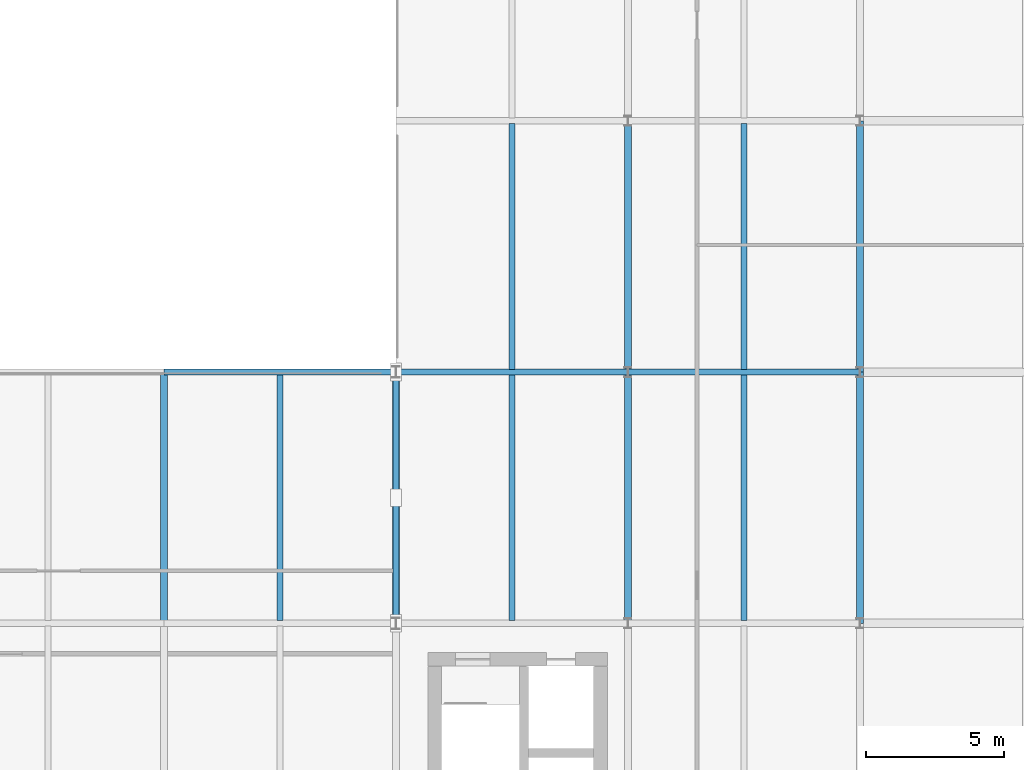
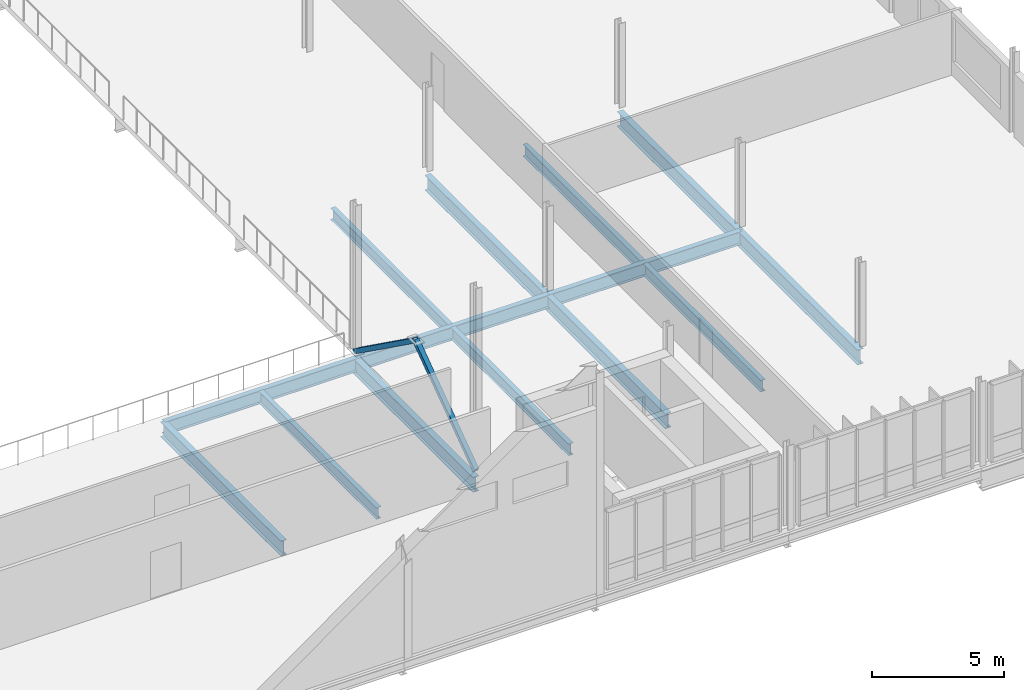
# One storey, part 34 of 61: 14 beams, 2 members.
"""IFC4 building model written with IfcOpenShell, lengths in metres."""

import ifcopenshell
import ifcopenshell.guid

model = None  # the IFC model being written
_history = None  # IfcOwnerHistory: only IFC2X3 demands one
_inside = {}  # id of a spatial element -> (the spatial element, [elements in it])
_under = {}  # id of a project, library or spatial element -> (it, [spatial elements below it])
_declared = {}  # id of a project -> (the project, [libraries it declares])
_typed = {}  # id of a type object -> (the type object, [elements of that type])
_made_of = {}  # id of a material, layer set ... -> (it, [elements and type objects made of it])


def new_model(schema):
    """Start an empty IFC model of exactly this schema.

    Asked for "IFC4X3", IfcOpenShell would pick the latest addendum, in which some entities
    have other attributes; the version numbers below select the first issue.
    IFC2X3 requires an IfcOwnerHistory on every rooted entity: one is made here for all.
    """
    global model, _history
    if schema == "IFC4X3":
        model = ifcopenshell.file(schema_version=(4, 3, 0, 0))
    else:
        model = ifcopenshell.file(schema=schema)
    _inside.clear()
    _under.clear()
    _declared.clear()
    _typed.clear()
    _made_of.clear()
    _history = None
    if model.schema == "IFC2X3":
        org = make("IfcOrganization", Name="unknown")
        user = make(
            "IfcPersonAndOrganization",
            ThePerson=make("IfcPerson", FamilyName="unknown"),
            TheOrganization=org,
        )
        app = make(
            "IfcApplication",
            ApplicationDeveloper=org,
            Version="unknown",
            ApplicationFullName="unknown",
            ApplicationIdentifier="unknown",
        )
        _history = make(
            "IfcOwnerHistory",
            OwningUser=user,
            OwningApplication=app,
            ChangeAction="ADDED",
            CreationDate=0,
        )
    return model


def make(cls, **values):
    """One entity of the class cls with the attributes given. An attribute that is None is left unset."""
    return model.create_entity(
        cls, **{name: value for name, value in values.items() if value is not None}
    )


def rooted(cls, **values):
    """An entity with a GlobalId (a new one), such as an element, a storey or a relation."""
    return make(cls, GlobalId=ifcopenshell.guid.new(), OwnerHistory=_history, **values)


def si_unit(unit_type, name, prefix=None):
    """IfcSIUnit, for example si_unit("LENGTHUNIT", "METRE", prefix="MILLI")."""
    return make("IfcSIUnit", UnitType=unit_type, Prefix=prefix, Name=name)


def derived_unit(unit_type, elements):
    """IfcDerivedUnit: a product of units, each with its exponent."""
    return make(
        "IfcDerivedUnit",
        Elements=[
            make("IfcDerivedUnitElement", Unit=unit, Exponent=power)
            for unit, power in elements
        ],
        UnitType=unit_type,
    )


def assignment(units):
    """IfcUnitAssignment: the units of a project."""
    return None if units is None else make("IfcUnitAssignment", Units=units)


def point(xyz):
    """IfcCartesianPoint."""
    return None if xyz is None else make("IfcCartesianPoint", Coordinates=xyz)


def direction(xyz):
    """IfcDirection."""
    return None if xyz is None else make("IfcDirection", DirectionRatios=xyz)


def frame(location, z_axis=None, x_axis=None):
    """IfcAxis2Placement3D, a coordinate frame: its origin and axes. An axis left out is left unset."""
    return make(
        "IfcAxis2Placement3D",
        Location=point(location),
        Axis=direction(z_axis),
        RefDirection=direction(x_axis),
    )


def frame_2d(location, x_axis=None):
    """IfcAxis2Placement2D, a coordinate frame in the plane: its origin and x axis."""
    return make(
        "IfcAxis2Placement2D", Location=point(location), RefDirection=direction(x_axis)
    )


def origin():
    """The frame at (0, 0, 0) with its axes left unset."""
    return frame((0.0, 0.0, 0.0))


def origin_2d():
    """The frame at (0, 0) in the plane with its x axis left unset."""
    return frame_2d((0.0, 0.0))


def place(relative_to, where):
    """IfcLocalPlacement: puts the frame where relative to a parent placement (None: the world)."""
    return make(
        "IfcLocalPlacement", PlacementRelTo=relative_to, RelativePlacement=where
    )


def context(
    kind, dimensions, precision=None, world=None, true_north=None, identifier=None
):
    """IfcGeometricRepresentationContext, for example the 3D "Model" context."""
    return make(
        "IfcGeometricRepresentationContext",
        ContextIdentifier=identifier,
        ContextType=kind,
        CoordinateSpaceDimension=dimensions,
        Precision=precision,
        WorldCoordinateSystem=world,
        TrueNorth=true_north,
    )


def subcontext(parent, identifier, kind, view, scale=None):
    """IfcGeometricRepresentationSubContext, for example "Body" below "Model"."""
    return make(
        "IfcGeometricRepresentationSubContext",
        ContextIdentifier=identifier,
        ContextType=kind,
        ParentContext=parent,
        TargetScale=scale,
        TargetView=view,
    )


def project(units=None, contexts=None):
    """IfcProject with its units and contexts."""
    return rooted(
        "IfcProject",
        Name="project",
        RepresentationContexts=contexts,
        UnitsInContext=assignment(units),
    )


def spatial(cls, under=None, at=None, **own):
    """A site, building, storey or space (cls), placed at a placement, below another one or the project."""
    s = rooted(cls, ObjectPlacement=at, **own)
    if under is not None:
        _under.setdefault(under.id(), (under, []))[1].append(s)
    return s


def profile(cls, at=None, kind="AREA", **sizes):
    """A parametric profile (cls). Its sizes go by their IFC names, for example OverallWidth=200.0."""
    return make(cls, ProfileType=kind, Position=at, **sizes)


def hollow_rectangle(**sizes):
    """IfcRectangleHollowProfileDef."""
    return profile("IfcRectangleHollowProfileDef", **sizes)


def i_section(**sizes):
    """IfcIShapeProfileDef."""
    return profile("IfcIShapeProfileDef", **sizes)


def extrude(swept, where, along, depth):
    """IfcExtrudedAreaSolid: the profile swept, set in the frame where, extruded along a direction by depth."""
    return make(
        "IfcExtrudedAreaSolid",
        SweptArea=swept,
        Position=where,
        ExtrudedDirection=direction(along),
        Depth=depth,
    )


def shape(context_of_items, identifier, shape_type, items):
    """IfcShapeRepresentation: the items that make up one representation, for example the "Body"."""
    return make(
        "IfcShapeRepresentation",
        ContextOfItems=context_of_items,
        RepresentationIdentifier=identifier,
        RepresentationType=shape_type,
        Items=items,
    )


def material(Name=None, Category=None):
    """IfcMaterial."""
    return make("IfcMaterial", Name=Name, Category=Category)


def material_profile(
    of_material, cross_section, Name=None, Category=None, Priority=None
):
    """IfcMaterialProfile: a cross section and its material."""
    return make(
        "IfcMaterialProfile",
        Name=Name,
        Material=of_material,
        Profile=cross_section,
        Priority=Priority,
        Category=Category,
    )


def profile_set(profiles, Name=None, composite=None):
    """IfcMaterialProfileSet."""
    return make(
        "IfcMaterialProfileSet",
        Name=Name,
        MaterialProfiles=profiles,
        CompositeProfile=composite,
    )


def made_of(thing, what):
    """Note that an element or type object is made of a material, layer set ...; save() writes the relation."""
    if what is not None:
        _made_of.setdefault(what.id(), (what, []))[1].append(thing)
    return thing


def type_object(cls, material=None, **own):
    """A type object (cls), such as IfcWallType, which elements share."""
    return made_of(rooted(cls, **own), material)


def element(
    cls,
    number,
    at=None,
    inside=None,
    cuts=None,
    type_object=None,
    material=None,
    context=None,
    identifier="Body",
    shape_type=None,
    held_by="IfcProductDefinitionShape",
    body=None,
    shapes=None,
    **own,
):
    """One element of the class cls, such as IfcWall. Its Tag is "e" and its number.

    at: its placement. inside: the storey or other place that contains it. cuts: it is an
    opening in that element (IfcRelVoidsElement). A single representation is given by context,
    identifier, shape_type and body (its items); several are given by shapes. held_by: the class
    of the entity that holds the representations. save() writes the other relations.
    """
    e = rooted(cls, Tag="e%d" % number, ObjectPlacement=at, **own)
    if body is not None:
        shapes = [shape(context, identifier, shape_type, body)]
    if shapes is not None:
        e.Representation = make(held_by, Representations=shapes)
    if inside is not None:
        _inside.setdefault(inside.id(), (inside, []))[1].append(e)
    if cuts is not None:
        rooted(
            "IfcRelVoidsElement", RelatingBuildingElement=cuts, RelatedOpeningElement=e
        )
    if type_object is not None:
        _typed.setdefault(type_object.id(), (type_object, []))[1].append(e)
    return made_of(e, material)


def aggregate(whole, parts):
    """IfcRelAggregates: a whole, such as a stair, and the parts it consists of."""
    return rooted("IfcRelAggregates", RelatingObject=whole, RelatedObjects=parts)


def save(model, path):
    """Write the relations noted so far, then the file.

    IfcRelAggregates (storeys below a building ...), IfcRelContainedInSpatialStructure (elements
    in a storey), IfcRelDefinesByType, IfcRelAssociatesMaterial and IfcRelDeclares: one each for
    every whole, place, type object, material and project.
    """
    for whole, parts in _under.values():
        aggregate(whole, parts)
    for where, things in _inside.values():
        rooted(
            "IfcRelContainedInSpatialStructure",
            RelatedElements=things,
            RelatingStructure=where,
        )
    for kind, things in _typed.values():
        rooted("IfcRelDefinesByType", RelatedObjects=things, RelatingType=kind)
    for what, things in _made_of.values():
        rooted("IfcRelAssociatesMaterial", RelatedObjects=things, RelatingMaterial=what)
    for by, libraries in _declared.values():
        rooted("IfcRelDeclares", RelatingContext=by, RelatedDefinitions=libraries)
    model.write(path)


model = new_model("IFC4")

# Units and contexts
model_context = context("Model", 3, precision=1e-05, world=origin(), true_north=direction((0.0, 1.0)))
body_context = subcontext(model_context, "Body", "Model", "MODEL_VIEW")
ifc_project = project(units=[si_unit("LENGTHUNIT", "METRE"), si_unit("AREAUNIT", "SQUARE_METRE"), si_unit("VOLUMEUNIT", "CUBIC_METRE"), si_unit("PLANEANGLEUNIT", "RADIAN"), si_unit("MASSUNIT", "GRAM", prefix="KILO"), derived_unit("THERMALTRANSMITTANCEUNIT", [(si_unit("MASSUNIT", "GRAM", prefix="KILO"), 1), (si_unit("TIMEUNIT", "SECOND"), -3), (si_unit("THERMODYNAMICTEMPERATUREUNIT", "KELVIN"), -1)])], contexts=[model_context])

# Site, building, storey
site_placement = place(None, origin())
site = spatial("IfcSite", under=ifc_project, at=site_placement, CompositionType="ELEMENT")
building_placement = place(site_placement, origin())
building = spatial("IfcBuilding", under=site, at=building_placement, Name="Makaiwela Harbour Ferry Terminal", CompositionType="ELEMENT")
storey_placement = place(building_placement, frame((0.0, 0.0, 13.800048828125)))
storey = spatial("IfcBuildingStorey", under=building, at=storey_placement, Name="L03", CompositionType="ELEMENT", Elevation=13.800048828125)

# Beams
ifc_material_1 = material(Name="Steel ASTM A992 Grade 50", Category="steel")
ifc_material_profile_1 = material_profile(ifc_material_1, i_section(OverallWidth=0.2099609375, OverallDepth=0.537109375, WebThickness=0.010986328125, FlangeThickness=0.017333984375, at=origin_2d()), Name="W21X68")
ifc_profile_set_1 = profile_set([ifc_material_profile_1], Name="Steel ASTM A992 Grade 50")
beam_type_1 = type_object("IfcBeamType", Name="STR-BM-W21X68", PredefinedType="BEAM", material=ifc_profile_set_1)
for number, where, z_axis, x_axis, name in (
    (1, (134.39990234375, 58.596435546875, -0.508544921875), (0.0, 1.0, 0.0), (-1.0, 0.0, 0.0), "Secondary floor beam 1649"),
    (2, (142.800048828125, 58.596435546875, -0.508544921875), (0.0, 1.0, 0.0), (-1.0, 0.0, 0.0), "Secondary floor beam 1650"),
    (3, (142.800048828125, 67.696533203125, -0.508544921875), (0.0, 1.0, 0.0), (-1.0, 0.0, 0.0), "Secondary floor beam 1651"),
    (4, (151.199951171875, 58.596435546875, -0.508544921875), (0.0, 1.0, 0.0), (-1.0, 0.0, 0.0), "Secondary floor beam 1655"),
    (5, (151.199951171875, 67.696533203125, -0.508544921875), (0.0, 1.0, 0.0), (-1.0, 0.0, 0.0), "Secondary floor beam 1656"),
):
    element("IfcBeam", number, at=place(storey_placement, frame(where, z_axis=z_axis, x_axis=x_axis)), inside=storey, type_object=beam_type_1, Name=name, PredefinedType="BEAM", context=body_context, shape_type="SweptSolid", body=[
        extrude(i_section(OverallWidth=0.2099609375, OverallDepth=0.537109375, WebThickness=0.010986328125, FlangeThickness=0.017333984375, at=origin_2d()), origin(), (0.0, 0.0, 1.0), 8.906982421875),
    ])

# Members
ifc_material_2 = material(Name="Steel ASTM A500 Grade C", Category="steel")
ifc_material_profile_2 = material_profile(ifc_material_2, hollow_rectangle(XDim=0.202880859375, YDim=0.202880859375, WallThickness=0.01171875, at=origin_2d()), Name="HSS8X8X1/2")
ifc_profile_set_2 = profile_set([ifc_material_profile_2], Name="Steel ASTM A500 Grade C")
member_type = type_object("IfcMemberType", Name="STR-BRC-HSS8", PredefinedType="BRACE", material=ifc_profile_set_2)
for number, where, z_axis, x_axis, name in (
    (6, (138.60009765625, 58.5, 0.050048828125), (0.0, 0.812600648456, 0.582820886833), (-1.0, 0.0, 0.0), "Lateral chevron brace 9A"),
    (7, (138.60009765625, 67.60009765625, 0.050048828125), (0.0, -0.812600648456, 0.582820886833), (1.0, 0.0, 0.0), "Lateral chevron brace 9B"),
):
    element("IfcMember", number, at=place(storey_placement, frame(where, z_axis=z_axis, x_axis=x_axis)), inside=storey, type_object=member_type, Name=name, PredefinedType="BRACE", context=body_context, shape_type="SweptSolid", body=[
        extrude(hollow_rectangle(XDim=0.202880859375, YDim=0.202880859375, WallThickness=0.01171875, at=origin_2d()), origin(), (0.0, 0.0, 1.0), 5.599365234375),
    ])

# Beams
ifc_material_profile_3 = material_profile(ifc_material_1, i_section(OverallWidth=0.22900390625, OverallDepth=0.612060546875, WebThickness=0.011962890625, FlangeThickness=0.01953125, at=origin_2d()), Name="W24X84")
ifc_profile_set_3 = profile_set([ifc_material_profile_3], Name="Steel ASTM A992 Grade 50")
beam_type_2 = type_object("IfcBeamType", Name="STR-GRD-W24X84", PredefinedType="USERDEFINED", material=ifc_profile_set_3)
beam_1_placement = place(storey_placement, frame((130.199951171875, 67.60009765625, -0.546142578125), z_axis=(1.0, 0.0, 0.0), x_axis=(0.0, 1.0, 0.0)))
element("IfcBeam", 8, at=beam_1_placement, inside=storey, type_object=beam_type_2, Name="Primary X girder 1585", ObjectType="GIRDER", PredefinedType="USERDEFINED", context=body_context, shape_type="SweptSolid", body=[
    extrude(i_section(OverallWidth=0.22900390625, OverallDepth=0.612060546875, WebThickness=0.011962890625, FlangeThickness=0.01953125, at=origin_2d()), origin(), (0.0, 0.0, 1.0), 8.400146484375),
])
for number, where, z_axis, x_axis, name in (
    (9, (138.60009765625, 67.60009765625, -0.546142578125), (1.0, 0.0, 0.0), (0.0, 1.0, 0.0), "Primary X girder 1586"),
    (10, (147.0, 67.60009765625, -0.546142578125), (1.0, 0.0, 0.0), (0.0, 1.0, 0.0), "Primary X girder 1587"),
):
    element("IfcBeam", number, at=place(storey_placement, frame(where, z_axis=z_axis, x_axis=x_axis)), inside=storey, type_object=beam_type_2, Name=name, ObjectType="GIRDER", PredefinedType="USERDEFINED", context=body_context, shape_type="SweptSolid", body=[
        extrude(i_section(OverallWidth=0.22900390625, OverallDepth=0.612060546875, WebThickness=0.011962890625, FlangeThickness=0.01953125, at=origin_2d()), origin(), (0.0, 0.0, 1.0), 8.39990234375),
    ])
ifc_material_profile_4 = material_profile(ifc_material_1, i_section(OverallWidth=0.256103515625, OverallDepth=0.693115234375, WebThickness=0.014404296875, FlangeThickness=0.023681640625, at=origin_2d()), Name="W27X114")
ifc_profile_set_4 = profile_set([ifc_material_profile_4], Name="Steel ASTM A992 Grade 50")
beam_type_3 = type_object("IfcBeamType", Name="STR-GRD-W27X114", PredefinedType="USERDEFINED", material=ifc_profile_set_4)
for number, where, z_axis, x_axis, name in (
    (11, (130.199951171875, 58.5, -0.586669921875), (0.0, 1.0, 0.0), (-1.0, 0.0, 0.0), "Primary Y girder 1615"),
    (12, (138.60009765625, 58.5, -0.586669921875), (0.0, 1.0, 0.0), (-1.0, 0.0, 0.0), "Primary Y girder 1617"),
    (13, (147.0, 58.5, -0.586669921875), (0.0, 1.0, 0.0), (-1.0, 0.0, 0.0), "Primary Y girder 1619"),
):
    element("IfcBeam", number, at=place(storey_placement, frame(where, z_axis=z_axis, x_axis=x_axis)), inside=storey, type_object=beam_type_3, Name=name, ObjectType="GIRDER", PredefinedType="USERDEFINED", context=body_context, shape_type="SweptSolid", body=[
        extrude(i_section(OverallWidth=0.256103515625, OverallDepth=0.693115234375, WebThickness=0.014404296875, FlangeThickness=0.023681640625, at=origin_2d()), origin(), (0.0, 0.0, 1.0), 9.10009765625),
    ])
beam_2_placement = place(storey_placement, frame((147.0, 67.60009765625, -0.586669921875), z_axis=(0.0, 1.0, 0.0), x_axis=(-1.0, 0.0, 0.0)))
element("IfcBeam", 14, at=beam_2_placement, inside=storey, type_object=beam_type_3, Name="Primary Y girder 1620", ObjectType="GIRDER", PredefinedType="USERDEFINED", context=body_context, shape_type="SweptSolid", body=[
    extrude(i_section(OverallWidth=0.256103515625, OverallDepth=0.693115234375, WebThickness=0.014404296875, FlangeThickness=0.023681640625, at=origin_2d()), origin(), (0.0, 0.0, 1.0), 9.099853515625),
])
beam_3_placement = place(storey_placement, frame((155.39990234375, 58.5, -0.586669921875), z_axis=(0.0, 1.0, 0.0), x_axis=(-1.0, 0.0, 0.0)))
element("IfcBeam", 15, at=beam_3_placement, inside=storey, type_object=beam_type_3, Name="Primary Y girder 1624", ObjectType="GIRDER", PredefinedType="USERDEFINED", context=body_context, shape_type="SweptSolid", body=[
    extrude(i_section(OverallWidth=0.256103515625, OverallDepth=0.693115234375, WebThickness=0.014404296875, FlangeThickness=0.023681640625, at=origin_2d()), origin(), (0.0, 0.0, 1.0), 9.10009765625),
])
beam_4_placement = place(storey_placement, frame((155.39990234375, 67.60009765625, -0.586669921875), z_axis=(0.0, 1.0, 0.0), x_axis=(-1.0, 0.0, 0.0)))
element("IfcBeam", 16, at=beam_4_placement, inside=storey, type_object=beam_type_3, Name="Primary Y girder 1625", ObjectType="GIRDER", PredefinedType="USERDEFINED", context=body_context, shape_type="SweptSolid", body=[
    extrude(i_section(OverallWidth=0.256103515625, OverallDepth=0.693115234375, WebThickness=0.014404296875, FlangeThickness=0.023681640625, at=origin_2d()), origin(), (0.0, 0.0, 1.0), 9.099853515625),
])

save(model, "model.ifc")
